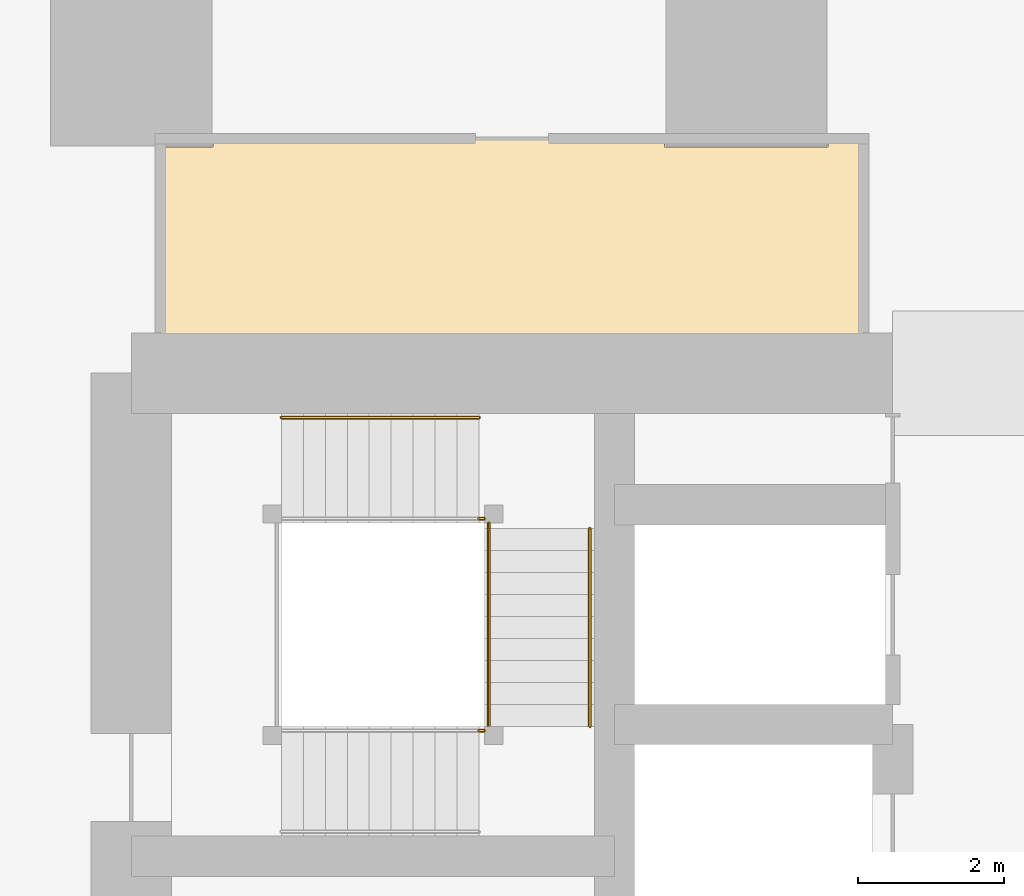
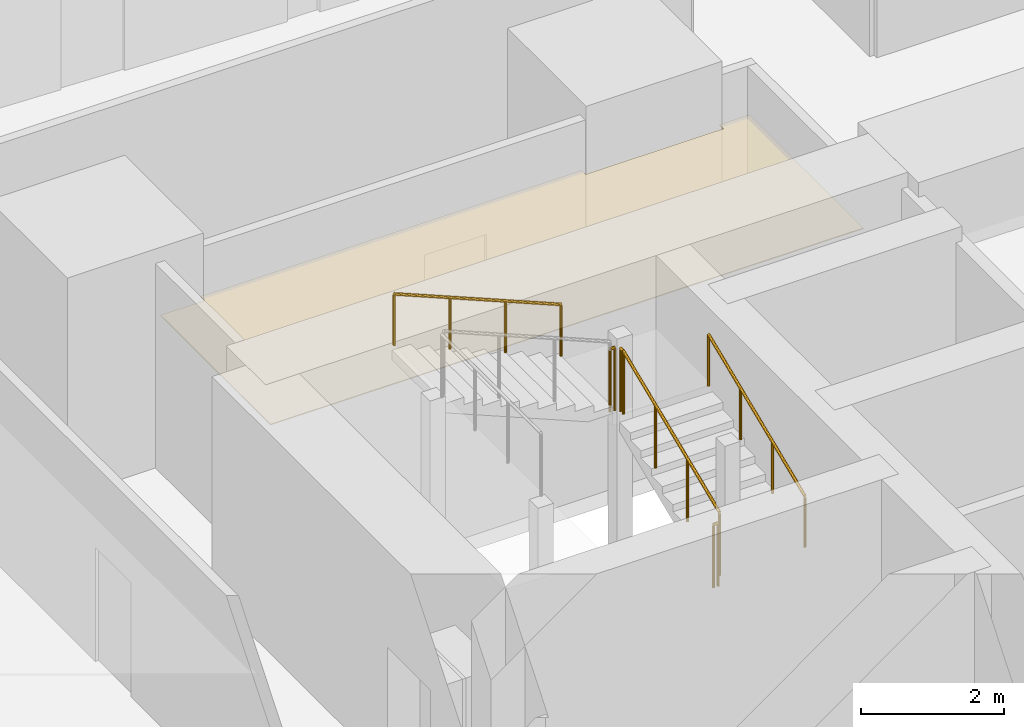
# One storey, part 39 of 42: 6 railings, 1 covering.
"""IFC4 building model written with IfcOpenShell, lengths in metres."""

from ifc_helpers import new_model, si_unit, direction, frame, origin, origin_2d, place, context, subcontext, project, spatial, polyline, circle, outline, extrude, material, layer, layer_set, type_object, element, save


model = new_model("IFC4")

# Units and contexts
model_context = context("Model", 3, precision=1e-05, world=origin(), true_north=direction((0.0, 1.0)))
body_context = subcontext(model_context, "Body", "Model", "MODEL_VIEW")
ifc_project = project(units=[si_unit("LENGTHUNIT", "METRE"), si_unit("AREAUNIT", "SQUARE_METRE"), si_unit("VOLUMEUNIT", "CUBIC_METRE"), si_unit("PLANEANGLEUNIT", "RADIAN"), si_unit("MASSUNIT", "GRAM", prefix="KILO")], contexts=[model_context])

# Site, building, storey
site_placement = place(None, origin())
site = spatial("IfcSite", under=ifc_project, at=site_placement, CompositionType="ELEMENT")
building_placement = place(site_placement, origin())
building = spatial("IfcBuilding", under=site, at=building_placement, Name="Rekha Terrace Tower", CompositionType="ELEMENT")
storey_placement = place(building_placement, frame((0.0, 0.0, 40.39990234375)))
storey = spatial("IfcBuildingStorey", under=building, at=storey_placement, Name="L09", CompositionType="ELEMENT", Elevation=40.39990234375)

# Covering
ifc_material_1 = material(Name="Fibre cement board", Category="finish")
ifc_layer = layer(ifc_material_1, 0.014892578125)
ifc_layer_set = layer_set([ifc_layer], Name="Fibre cement board")
covering_type = type_object("IfcCoveringType", Name="CL2 moisture-resistant board ceiling", PredefinedType="CEILING", material=ifc_layer_set)
covering_placement = place(storey_placement, frame((0.0, 0.0, 2.585205078125)))
element("IfcCovering", 1, at=covering_placement, inside=storey, type_object=covering_type, Name="Ceiling L09-WCF2", PredefinedType="CEILING", context=body_context, shape_type="SweptSolid", body=[
    extrude(outline(polyline([(26.31494140625, 49.284912109375), (25.60009765625, 49.284912109375), (25.60009765625, 46.199951171875), (35.199951171875, 46.199951171875), (35.199951171875, 49.39990234375), (34.715087890625, 49.39990234375), (34.715087890625, 49.284912109375), (32.485107421875, 49.284912109375), (32.485107421875, 49.39990234375), (26.31494140625, 49.39990234375), (26.31494140625, 49.284912109375)])), origin(), (0.0, 0.0, 1.0), 0.014892578125),
])

# Railings
ifc_material_2 = material(Name="Stainless steel balustrade", Category="steel")
railing_type_1 = type_object("IfcRailingType", Name="GR1 1100 stair guard", PredefinedType="GUARDRAIL", material=ifc_material_2)
railing_1_placement = place(storey_placement, frame((30.0849609375, 41.375, 1.375)))
element("IfcRailing", 2, at=railing_1_placement, inside=storey, type_object=railing_type_1, Name="Guard ST4 L09 flight 2", PredefinedType="GUARDRAIL", context=body_context, shape_type="SweptSolid", body=[
    extrude(circle(Radius=0.02392578125, at=origin_2d()), frame((0.0, 0.0, 1.076171875), z_axis=(0.0, 0.923074453586, 0.384621311341), x_axis=(-1.0, 0.0, 0.0)), (0.0, 0.0, 1.0), 2.925048828125),
    extrude(circle(Radius=0.02099609375, at=origin_2d()), origin(), (0.0, 0.0, 1.0), 1.052001953125),
    extrude(circle(Radius=0.02099609375, at=origin_2d()), frame((0.0, 0.89990234375, 0.375)), (0.0, 0.0, 1.0), 1.052001953125),
    extrude(circle(Radius=0.02099609375, at=origin_2d()), frame((0.0, 1.800048828125, 0.75)), (0.0, 0.0, 1.0), 1.052001953125),
    extrude(circle(Radius=0.02099609375, at=origin_2d()), frame((0.0, 2.699951171875, 1.125)), (0.0, 0.0, 1.0), 1.052001953125),
])
railing_2_placement = place(storey_placement, frame((29.949951171875, 41.31494140625, 1.25)))
element("IfcRailing", 3, at=railing_2_placement, inside=storey, type_object=railing_type_1, Name="Guard ST4 L09 landing 1", PredefinedType="GUARDRAIL", context=body_context, shape_type="SweptSolid", body=[
    extrude(circle(Radius=0.02392578125, at=origin_2d()), frame((0.0, 0.0, 1.076171875), z_axis=(1.0, 0.0, 0.0), x_axis=(0.0, 1.0, 0.0)), (0.0, 0.0, 1.0), 0.074951171875),
    extrude(circle(Radius=0.02099609375, at=origin_2d()), origin(), (0.0, 0.0, 1.0), 1.052001953125),
    extrude(circle(Radius=0.02099609375, at=origin_2d()), frame((0.074951171875, 0.0, 0.0)), (0.0, 0.0, 1.0), 1.052001953125),
])
railing_3_placement = place(storey_placement, frame((30.0849609375, 44.074951171875, 2.5)))
element("IfcRailing", 4, at=railing_3_placement, inside=storey, type_object=railing_type_1, Name="Guard ST4 L09 landing 2", PredefinedType="GUARDRAIL", context=body_context, shape_type="SweptSolid", body=[
    extrude(circle(Radius=0.02392578125, at=origin_2d()), frame((0.0, 0.0, 1.076171875), z_axis=(0.0, 1.0, 0.0), x_axis=(-1.0, 0.0, 0.0)), (0.0, 0.0, 1.0), 0.074951171875),
    extrude(circle(Radius=0.02099609375, at=origin_2d()), origin(), (0.0, 0.0, 1.0), 1.052001953125),
    extrude(circle(Radius=0.02099609375, at=origin_2d()), frame((0.0, 0.074951171875, 0.0)), (0.0, 0.0, 1.0), 1.052001953125),
])
railing_4_placement = place(storey_placement, frame((29.949951171875, 44.2099609375, 2.5)))
element("IfcRailing", 5, at=railing_4_placement, inside=storey, type_object=railing_type_1, Name="Guard ST4 L09 landing 3", PredefinedType="GUARDRAIL", context=body_context, shape_type="SweptSolid", body=[
    extrude(circle(Radius=0.02392578125, at=origin_2d()), frame((0.0, 0.0, 1.076171875), z_axis=(1.0, 0.0, 0.0), x_axis=(0.0, 1.0, 0.0)), (0.0, 0.0, 1.0), 0.074951171875),
    extrude(circle(Radius=0.02099609375, at=origin_2d()), origin(), (0.0, 0.0, 1.0), 1.052001953125),
    extrude(circle(Radius=0.02099609375, at=origin_2d()), frame((0.074951171875, 0.0, 0.0)), (0.0, 0.0, 1.0), 1.052001953125),
])
ifc_material_3 = material(Name="Stainless steel tube", Category="steel")
railing_type_2 = type_object("IfcRailingType", Name="HR1 900 stair handrail", PredefinedType="HANDRAIL", material=ifc_material_3)
railing_5_placement = place(storey_placement, frame((31.465087890625, 41.375, 1.375)))
element("IfcRailing", 6, at=railing_5_placement, inside=storey, type_object=railing_type_2, Name="Handrail ST4 L09 flight 2", PredefinedType="HANDRAIL", context=body_context, shape_type="SweptSolid", body=[
    extrude(circle(Radius=0.02392578125, at=origin_2d()), frame((0.0, 0.0, 0.8759765625), z_axis=(0.0, 0.923074453586, 0.384621311341), x_axis=(-1.0, 0.0, 0.0)), (0.0, 0.0, 1.0), 2.925048828125),
    extrude(circle(Radius=0.02099609375, at=origin_2d()), origin(), (0.0, 0.0, 1.0), 0.851806640625),
    extrude(circle(Radius=0.02099609375, at=origin_2d()), frame((0.0, 0.89990234375, 0.375)), (0.0, 0.0, 1.0), 0.851806640625),
    extrude(circle(Radius=0.02099609375, at=origin_2d()), frame((0.0, 1.800048828125, 0.75)), (0.0, 0.0, 1.0), 0.851806640625),
    extrude(circle(Radius=0.02099609375, at=origin_2d()), frame((0.0, 2.699951171875, 1.125)), (0.0, 0.0, 1.0), 0.851806640625),
])
railing_6_placement = place(storey_placement, frame((29.949951171875, 45.590087890625, 2.625)))
element("IfcRailing", 7, at=railing_6_placement, inside=storey, type_object=railing_type_2, Name="Handrail ST4 L09 flight 3", PredefinedType="HANDRAIL", context=body_context, shape_type="SweptSolid", body=[
    extrude(circle(Radius=0.02392578125, at=origin_2d()), frame((0.0, 0.0, 0.8759765625), z_axis=(-0.923074453586, 0.0, 0.384621311341), x_axis=(0.0, -1.0, 0.0)), (0.0, 0.0, 1.0), 2.925048828125),
    extrude(circle(Radius=0.02099609375, at=origin_2d()), origin(), (0.0, 0.0, 1.0), 0.851806640625),
    extrude(circle(Radius=0.02099609375, at=origin_2d()), frame((-0.89990234375, 0.0, 0.375)), (0.0, 0.0, 1.0), 0.851806640625),
    extrude(circle(Radius=0.02099609375, at=origin_2d()), frame((-1.800048828125, 0.0, 0.75)), (0.0, 0.0, 1.0), 0.851806640625),
    extrude(circle(Radius=0.02099609375, at=origin_2d()), frame((-2.699951171875, 0.0, 1.125)), (0.0, 0.0, 1.0), 0.851806640625),
])

save(model, "model.ifc")
